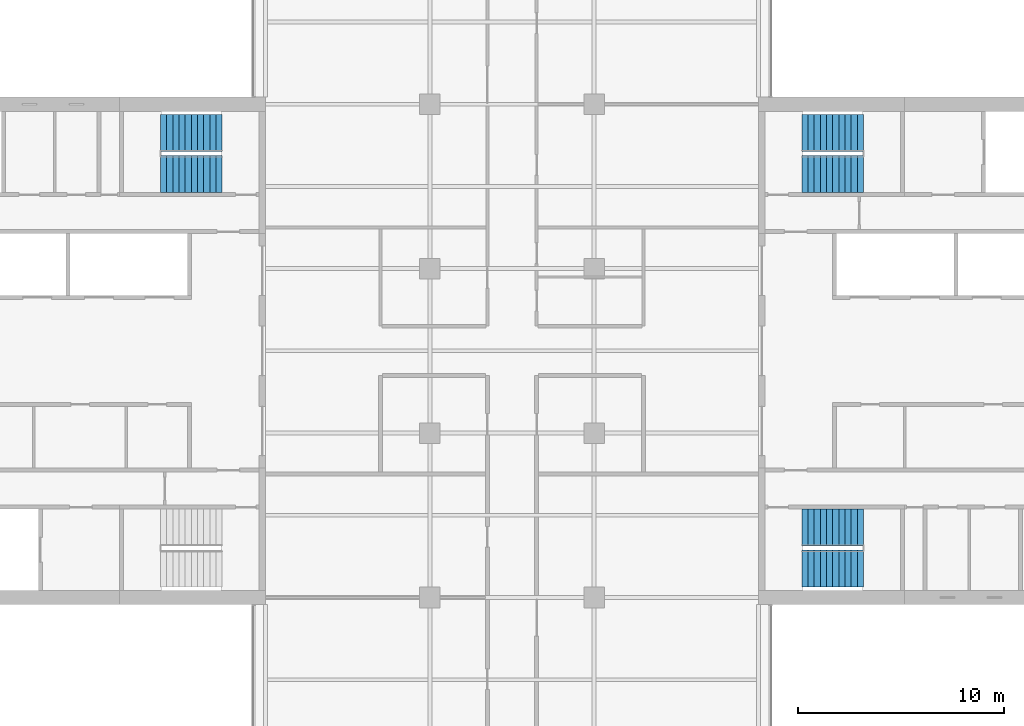
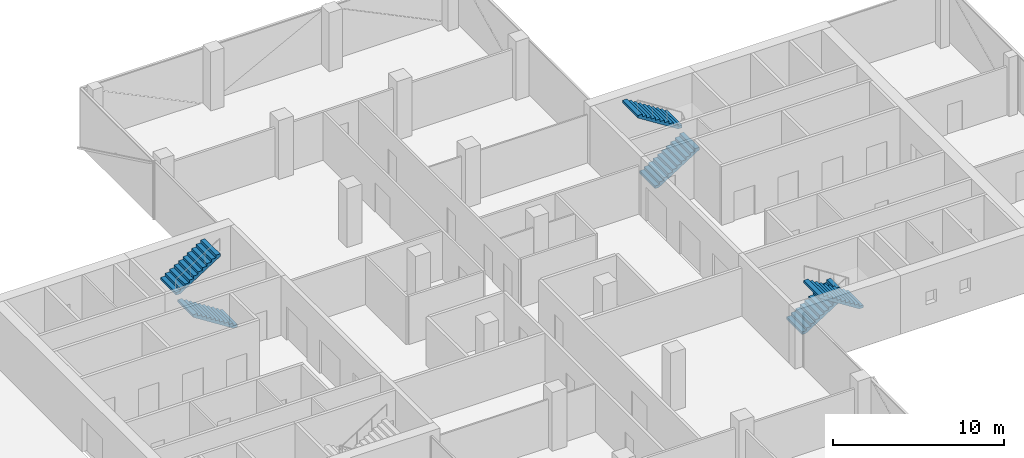
# One storey, part 17 of 22: 6 stair flights, 3 elements without a shape of their own.
"""IFC4 building model written with IfcOpenShell, lengths in metres."""

from ifc_helpers import new_model, si_unit, direction, frame, origin, place, context, subcontext, project, spatial, polyline, outline, extrude, material, type_object, element, aggregate, save


model = new_model("IFC4")

# Units and contexts
model_context = context("Model", 3, precision=1e-05, world=origin(), true_north=direction((0.0, 1.0)))
body_context = subcontext(model_context, "Body", "Model", "MODEL_VIEW")
ifc_project = project(units=[si_unit("LENGTHUNIT", "METRE"), si_unit("AREAUNIT", "SQUARE_METRE"), si_unit("VOLUMEUNIT", "CUBIC_METRE"), si_unit("PLANEANGLEUNIT", "RADIAN"), si_unit("MASSUNIT", "GRAM", prefix="KILO")], contexts=[model_context])

# Site, building, storey
site_placement = place(None, origin())
site = spatial("IfcSite", under=ifc_project, at=site_placement, CompositionType="ELEMENT")
building_placement = place(site_placement, origin())
building = spatial("IfcBuilding", under=site, at=building_placement, Name="Crosswind Convention Tower", CompositionType="ELEMENT")
storey_placement = place(building_placement, frame((0.0, 0.0, 142.10009765625)))
storey = spatial("IfcBuildingStorey", under=building, at=storey_placement, Name="L29", CompositionType="ELEMENT", Elevation=142.10009765625)

# Stair, stair flights
ifc_material = material(Name="Concrete C40/50", Category="concrete")
stair_type = type_object("IfcStairType", Name="Exit stair 1800 wide, 2 flights of 11 risers", PredefinedType="HALF_TURN_STAIR", material=ifc_material)
stair_1_placement = place(storey_placement, origin())
stair_1 = element("IfcStair", 1, at=stair_1_placement, inside=storey, type_object=stair_type, Name="Exit stair ST1 L29", ObjectType="ST5", PredefinedType="HALF_TURN_STAIR")
stair_flight_type = type_object("IfcStairFlightType", Name="Stair flight 1800 wide, 11 risers (SF4)", PredefinedType="STRAIGHT", material=ifc_material)
stair_flight_1_placement = place(storey_placement, frame((139.10009765625, 108.60009765625, 0.0), z_axis=(0.0, 0.0, 1.0), x_axis=(1.0, 0.0, 0.0)))
stair_flight_1 = element("IfcStairFlight", 2, at=stair_flight_1_placement, type_object=stair_flight_type, Name="ST1 flight 1", NumberOfRisers=11, NumberOfTreads=10, PredefinedType="STRAIGHT", RiserHeight=0.190909091, TreadLength=0.3, context=body_context, shape_type="SweptSolid", body=[
    extrude(outline(polyline([(0.0, 0.0), (0.0, 0.19091796875), (0.300048828125, 0.19091796875), (0.300048828125, 0.3818359375), (0.60009765625, 0.3818359375), (0.60009765625, 0.57275390625), (0.89990234375, 0.57275390625), (0.89990234375, 0.763671875), (1.199951171875, 0.763671875), (1.199951171875, 0.95458984375), (1.5, 0.95458984375), (1.5, 1.1455078125), (1.800048828125, 1.1455078125), (1.800048828125, 1.33642578125), (2.10009765625, 1.33642578125), (2.10009765625, 1.52734375), (2.39990234375, 1.52734375), (2.39990234375, 1.71826171875), (2.699951171875, 1.71826171875), (2.699951171875, 1.9091796875), (3.0, 1.9091796875), (3.0, 2.10009765625), (3.0, 1.7314453125), (0.279296875, 0.0), (0.0, 0.0)])), frame((0.0, 0.89990234375, 0.0), z_axis=(0.0, -1.0, 0.0), x_axis=(1.0, 0.0, 0.0)), (0.0, 0.0, 1.0), 1.800048828125),
])
stair_flight_2_placement = place(storey_placement, frame((142.10009765625, 110.60009765625, 2.099853515625), z_axis=(0.0, 0.0, 1.0), x_axis=(-1.0, 0.0, 0.0)))
stair_flight_2 = element("IfcStairFlight", 3, at=stair_flight_2_placement, type_object=stair_flight_type, Name="ST1 flight 2", NumberOfRisers=11, NumberOfTreads=10, PredefinedType="STRAIGHT", RiserHeight=0.190909091, TreadLength=0.3, context=body_context, shape_type="SweptSolid", body=[
    extrude(outline(polyline([(0.0, 0.0), (0.0, 0.19091796875), (0.300048828125, 0.19091796875), (0.300048828125, 0.3818359375), (0.60009765625, 0.3818359375), (0.60009765625, 0.57275390625), (0.89990234375, 0.57275390625), (0.89990234375, 0.763671875), (1.199951171875, 0.763671875), (1.199951171875, 0.95458984375), (1.5, 0.95458984375), (1.5, 1.1455078125), (1.800048828125, 1.1455078125), (1.800048828125, 1.33642578125), (2.10009765625, 1.33642578125), (2.10009765625, 1.52734375), (2.39990234375, 1.52734375), (2.39990234375, 1.71826171875), (2.699951171875, 1.71826171875), (2.699951171875, 1.9091796875), (3.0, 1.9091796875), (3.0, 2.10009765625), (3.0, 1.7314453125), (0.279296875, 0.0), (0.0, 0.0)])), frame((0.0, 0.89990234375, 0.0), z_axis=(0.0, -1.0, 0.0), x_axis=(1.0, 0.0, 0.0)), (0.0, 0.0, 1.0), 1.800048828125),
])
aggregate(stair_1, [stair_flight_1, stair_flight_2])

stair_2_placement = place(storey_placement, origin())
stair_2 = element("IfcStair", 4, at=stair_2_placement, inside=storey, type_object=stair_type, Name="Exit stair ST2 L29", ObjectType="ST5", PredefinedType="HALF_TURN_STAIR")
stair_flight_3_placement = place(storey_placement, frame((139.10009765625, 91.39990234375, 0.0), z_axis=(0.0, 0.0, 1.0), x_axis=(1.0, 0.0, 0.0)))
stair_flight_3 = element("IfcStairFlight", 5, at=stair_flight_3_placement, type_object=stair_flight_type, Name="ST2 flight 1", NumberOfRisers=11, NumberOfTreads=10, PredefinedType="STRAIGHT", RiserHeight=0.190909091, TreadLength=0.3, context=body_context, shape_type="SweptSolid", body=[
    extrude(outline(polyline([(0.0, 0.0), (0.0, 0.19091796875), (0.300048828125, 0.19091796875), (0.300048828125, 0.3818359375), (0.60009765625, 0.3818359375), (0.60009765625, 0.57275390625), (0.89990234375, 0.57275390625), (0.89990234375, 0.763671875), (1.199951171875, 0.763671875), (1.199951171875, 0.95458984375), (1.5, 0.95458984375), (1.5, 1.1455078125), (1.800048828125, 1.1455078125), (1.800048828125, 1.33642578125), (2.10009765625, 1.33642578125), (2.10009765625, 1.52734375), (2.39990234375, 1.52734375), (2.39990234375, 1.71826171875), (2.699951171875, 1.71826171875), (2.699951171875, 1.9091796875), (3.0, 1.9091796875), (3.0, 2.10009765625), (3.0, 1.7314453125), (0.279296875, 0.0), (0.0, 0.0)])), frame((0.0, 0.89990234375, 0.0), z_axis=(0.0, -1.0, 0.0), x_axis=(1.0, 0.0, 0.0)), (0.0, 0.0, 1.0), 1.800048828125),
])
stair_flight_4_placement = place(storey_placement, frame((142.10009765625, 89.39990234375, 2.099853515625), z_axis=(0.0, 0.0, 1.0), x_axis=(-1.0, 0.0, 0.0)))
stair_flight_4 = element("IfcStairFlight", 6, at=stair_flight_4_placement, type_object=stair_flight_type, Name="ST2 flight 2", NumberOfRisers=11, NumberOfTreads=10, PredefinedType="STRAIGHT", RiserHeight=0.190909091, TreadLength=0.3, context=body_context, shape_type="SweptSolid", body=[
    extrude(outline(polyline([(0.0, 0.0), (0.0, 0.19091796875), (0.300048828125, 0.19091796875), (0.300048828125, 0.3818359375), (0.60009765625, 0.3818359375), (0.60009765625, 0.57275390625), (0.89990234375, 0.57275390625), (0.89990234375, 0.763671875), (1.199951171875, 0.763671875), (1.199951171875, 0.95458984375), (1.5, 0.95458984375), (1.5, 1.1455078125), (1.800048828125, 1.1455078125), (1.800048828125, 1.33642578125), (2.10009765625, 1.33642578125), (2.10009765625, 1.52734375), (2.39990234375, 1.52734375), (2.39990234375, 1.71826171875), (2.699951171875, 1.71826171875), (2.699951171875, 1.9091796875), (3.0, 1.9091796875), (3.0, 2.10009765625), (3.0, 1.7314453125), (0.279296875, 0.0), (0.0, 0.0)])), frame((0.0, 0.89990234375, 0.0), z_axis=(0.0, -1.0, 0.0), x_axis=(1.0, 0.0, 0.0)), (0.0, 0.0, 1.0), 1.800048828125),
])
aggregate(stair_2, [stair_flight_3, stair_flight_4])

stair_3_placement = place(storey_placement, origin())
stair_3 = element("IfcStair", 7, at=stair_3_placement, inside=storey, type_object=stair_type, Name="Exit stair ST4 L29", ObjectType="ST5", PredefinedType="HALF_TURN_STAIR")
stair_flight_5_placement = place(storey_placement, frame((110.89990234375, 108.60009765625, 0.0), z_axis=(0.0, 0.0, 1.0), x_axis=(-1.0, 0.0, 0.0)))
stair_flight_5 = element("IfcStairFlight", 8, at=stair_flight_5_placement, type_object=stair_flight_type, Name="ST4 flight 1", NumberOfRisers=11, NumberOfTreads=10, PredefinedType="STRAIGHT", RiserHeight=0.190909091, TreadLength=0.3, context=body_context, shape_type="SweptSolid", body=[
    extrude(outline(polyline([(0.0, 0.0), (0.0, 0.19091796875), (0.300048828125, 0.19091796875), (0.300048828125, 0.3818359375), (0.60009765625, 0.3818359375), (0.60009765625, 0.57275390625), (0.89990234375, 0.57275390625), (0.89990234375, 0.763671875), (1.199951171875, 0.763671875), (1.199951171875, 0.95458984375), (1.5, 0.95458984375), (1.5, 1.1455078125), (1.800048828125, 1.1455078125), (1.800048828125, 1.33642578125), (2.10009765625, 1.33642578125), (2.10009765625, 1.52734375), (2.39990234375, 1.52734375), (2.39990234375, 1.71826171875), (2.699951171875, 1.71826171875), (2.699951171875, 1.9091796875), (3.0, 1.9091796875), (3.0, 2.10009765625), (3.0, 1.7314453125), (0.279296875, 0.0), (0.0, 0.0)])), frame((0.0, 0.89990234375, 0.0), z_axis=(0.0, -1.0, 0.0), x_axis=(1.0, 0.0, 0.0)), (0.0, 0.0, 1.0), 1.800048828125),
])
stair_flight_6_placement = place(storey_placement, frame((107.89990234375, 110.60009765625, 2.099853515625), z_axis=(0.0, 0.0, 1.0), x_axis=(1.0, 0.0, 0.0)))
stair_flight_6 = element("IfcStairFlight", 9, at=stair_flight_6_placement, type_object=stair_flight_type, Name="ST4 flight 2", NumberOfRisers=11, NumberOfTreads=10, PredefinedType="STRAIGHT", RiserHeight=0.190909091, TreadLength=0.3, context=body_context, shape_type="SweptSolid", body=[
    extrude(outline(polyline([(0.0, 0.0), (0.0, 0.19091796875), (0.300048828125, 0.19091796875), (0.300048828125, 0.3818359375), (0.60009765625, 0.3818359375), (0.60009765625, 0.57275390625), (0.89990234375, 0.57275390625), (0.89990234375, 0.763671875), (1.199951171875, 0.763671875), (1.199951171875, 0.95458984375), (1.5, 0.95458984375), (1.5, 1.1455078125), (1.800048828125, 1.1455078125), (1.800048828125, 1.33642578125), (2.10009765625, 1.33642578125), (2.10009765625, 1.52734375), (2.39990234375, 1.52734375), (2.39990234375, 1.71826171875), (2.699951171875, 1.71826171875), (2.699951171875, 1.9091796875), (3.0, 1.9091796875), (3.0, 2.10009765625), (3.0, 1.7314453125), (0.279296875, 0.0), (0.0, 0.0)])), frame((0.0, 0.89990234375, 0.0), z_axis=(0.0, -1.0, 0.0), x_axis=(1.0, 0.0, 0.0)), (0.0, 0.0, 1.0), 1.800048828125),
])
aggregate(stair_3, [stair_flight_5, stair_flight_6])

save(model, "model.ifc")
